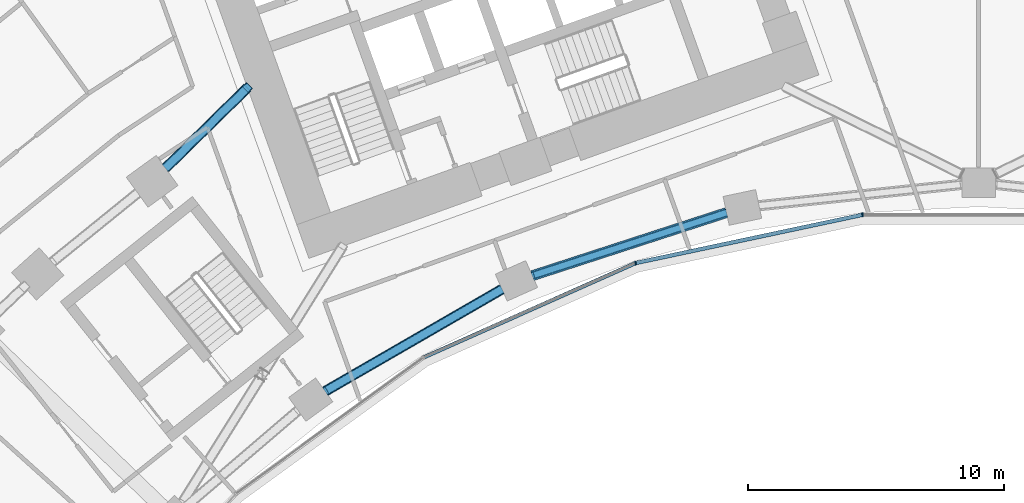
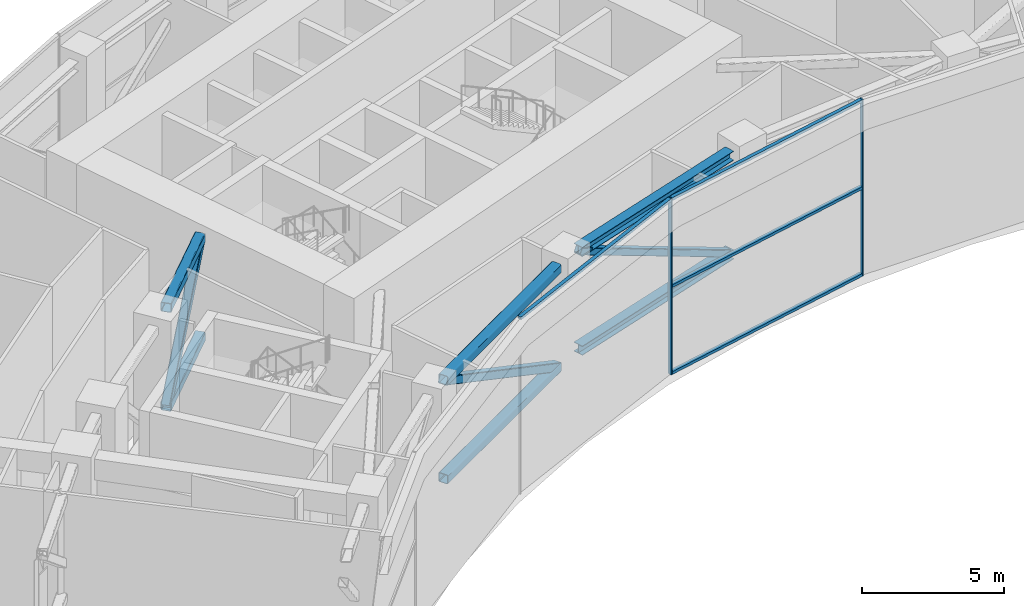
# One storey, part 5 of 30: 15 members, 1 element without a shape of its own.
"""IFC4 building model written with IfcOpenShell, lengths in metres."""

from ifc_helpers import new_model, si_unit, direction, frame, origin, origin_2d, place, context, subcontext, project, spatial, rectangle, hollow_rectangle, i_section, extrude, material, layer, layer_set, material_profile, profile_set, type_object, element, aggregate, save


model = new_model("IFC4")

# Units and contexts
model_context = context("Model", 3, precision=1e-05, world=origin(), true_north=direction((0.0, 1.0)))
body_context = subcontext(model_context, "Body", "Model", "MODEL_VIEW")
ifc_project = project(units=[si_unit("LENGTHUNIT", "METRE"), si_unit("AREAUNIT", "SQUARE_METRE"), si_unit("VOLUMEUNIT", "CUBIC_METRE"), si_unit("PLANEANGLEUNIT", "RADIAN"), si_unit("MASSUNIT", "GRAM", prefix="KILO")], contexts=[model_context])

# Site, building, storey
site_placement = place(None, origin())
site = spatial("IfcSite", under=ifc_project, at=site_placement, CompositionType="ELEMENT")
building_placement = place(site_placement, origin())
building = spatial("IfcBuilding", under=site, at=building_placement, Name="Stone Belt Terrace Tower", CompositionType="ELEMENT")
storey_placement = place(building_placement, frame((0.0, 0.0, 136.39990234375)))
storey = spatial("IfcBuildingStorey", under=building, at=storey_placement, Name="L33", CompositionType="ELEMENT", Elevation=136.39990234375)

# Members
ifc_material_1 = material(Name="Structural steel C345", Category="steel")
ifc_material_profile_1 = material_profile(ifc_material_1, i_section(OverallWidth=0.39990234375, OverallDepth=0.39990234375, WebThickness=0.012939453125, FlangeThickness=0.02099609375, at=origin_2d()), Name="I 40K2")
ifc_profile_set_1 = profile_set([ifc_material_profile_1], Name="Structural steel C345")
member_type_1 = type_object("IfcMemberType", Name="Belt chord I 40K2", PredefinedType="CHORD", material=ifc_profile_set_1)
for number, where, z_axis, x_axis, name in (
    (1, (-17.455810546875, 40.804443359375, 7.050048828125), (0.951056312408, 0.309017621875, 0.0), (-0.309017621875, 0.951056312408, 0.0), "Belt truss T2 ring P top chord 3"),
    (2, (-17.455810546875, 40.804443359375, 2.800048828125), (0.951056312408, 0.309017621875, 0.0), (-0.309017621875, 0.951056312408, 0.0), "Belt truss T2 ring P bot chord 3"),
):
    element("IfcMember", number, at=place(storey_placement, frame(where, z_axis=z_axis, x_axis=x_axis)), inside=storey, type_object=member_type_1, Name=name, PredefinedType="CHORD", context=body_context, shape_type="SweptSolid", body=[
        extrude(i_section(OverallWidth=0.39990234375, OverallDepth=0.39990234375, WebThickness=0.012939453125, FlangeThickness=0.02099609375, at=origin_2d()), origin(), (0.0, 0.0, 1.0), 7.984375),
    ])
ifc_material_profile_2 = material_profile(ifc_material_1, hollow_rectangle(XDim=0.300048828125, YDim=0.300048828125, WallThickness=0.01611328125, InnerFilletRadius=0.031982421875, OuterFilletRadius=0.048095703125, at=origin_2d()), Name="SHS 300x300x16")
ifc_profile_set_2 = profile_set([ifc_material_profile_2], Name="Structural steel C345")
member_type_2 = type_object("IfcMemberType", Name="Belt diagonal SHS 300x300x16", PredefinedType="BRACE", material=ifc_profile_set_2)
member_1_placement = place(storey_placement, frame((-17.455810546875, 40.804443359375, 7.050048828125), z_axis=(0.839528826933, 0.27278006382, -0.469874861565), x_axis=(-0.309017621875, 0.951056312408, 0.0)))
element("IfcMember", 3, at=member_1_placement, inside=storey, type_object=member_type_2, Name="Belt truss T2 ring P diagonal 3", PredefinedType="BRACE", context=body_context, shape_type="SweptSolid", body=[
    extrude(hollow_rectangle(XDim=0.300048828125, YDim=0.300048828125, WallThickness=0.01611328125, InnerFilletRadius=0.031982421875, OuterFilletRadius=0.048095703125, at=origin_2d()), origin(), (0.0, 0.0, 1.0), 9.044921875),
])

# Curtain wall, members
ifc_material_2 = material(Name="Aluminium 6063-T6 anodised frame", Category="aluminium")
ifc_layer = layer(ifc_material_2, 0.14990234375)
ifc_layer_set = layer_set([ifc_layer], Name="CW-B unitised concave-face curtain wall")
curtain_wall_type = type_object("IfcCurtainWallType", Name="CW-B unitised concave-face curtain wall", PredefinedType="NOTDEFINED", material=ifc_layer_set)
curtain_wall_placement = place(storey_placement, origin())
curtain_wall = element("IfcCurtainWall", 4, at=curtain_wall_placement, inside=storey, type_object=curtain_wall_type, Name="CW-B concave face L33", PredefinedType="NOTDEFINED")
ifc_material_profile_3 = material_profile(ifc_material_2, rectangle(XDim=0.14990234375, YDim=0.050048828125, at=origin_2d()), Name="Aluminium 6063-T6 50x150")
ifc_profile_set_3 = profile_set([ifc_material_profile_3], Name="Aluminium 6063-T6 anodised frame")
member_type_3 = type_object("IfcMemberType", Name="CW-B mullion 50 x 150", PredefinedType="MULLION", material=ifc_profile_set_3)
member_2_placement = place(storey_placement, frame((-13.4189453125, 41.29931640625, 0.0), z_axis=(0.0, 0.0, 1.0), x_axis=(-0.309016994375, 0.951056516295, 0.0)))
member_2 = element("IfcMember", 5, at=member_2_placement, type_object=member_type_3, Name="CW-B mullion 4", PredefinedType="MULLION", context=body_context, shape_type="SweptSolid", body=[
    extrude(rectangle(XDim=0.14990234375, YDim=0.050048828125, at=origin_2d()), origin(), (0.0, 0.0, 1.0), 7.60009765625),
])
member_3_placement = place(storey_placement, frame((-4.5390625, 43.186767578125, 0.0), z_axis=(0.0, 0.0, 1.0), x_axis=(-0.104528463268, 0.994521895368, 0.0)))
member_3 = element("IfcMember", 6, at=member_3_placement, type_object=member_type_3, Name="CW-B mullion 5", PredefinedType="MULLION", context=body_context, shape_type="SweptSolid", body=[
    extrude(rectangle(XDim=0.14990234375, YDim=0.050048828125, at=origin_2d()), origin(), (0.0, 0.0, 1.0), 7.60009765625),
])
ifc_material_profile_4 = material_profile(ifc_material_2, rectangle(XDim=0.14990234375, YDim=0.1201171875, at=origin_2d()), Name="Aluminium 6063-T6 150x120")
ifc_profile_set_4 = profile_set([ifc_material_profile_4], Name="Aluminium 6063-T6 anodised frame")
member_type_4 = type_object("IfcMemberType", Name="CW-B transom 120 x 150", PredefinedType="USERDEFINED", material=ifc_profile_set_4)
member_4_placement = place(storey_placement, frame((-21.682373046875, 37.6201171875, 7.5400390625), z_axis=(0.913548853737, 0.406729015237, 0.0), x_axis=(-0.406729015237, 0.913548853737, 0.0)))
member_4 = element("IfcMember", 7, at=member_4_placement, type_object=member_type_4, Name="CW-B transom 3.1", ObjectType="TRANSOM", PredefinedType="USERDEFINED", context=body_context, shape_type="SweptSolid", body=[
    extrude(rectangle(XDim=0.14990234375, YDim=0.1201171875, at=origin_2d()), origin(), (0.0, 0.0, 1.0), 9.0126953125),
])
member_5_placement = place(storey_placement, frame((-13.386962890625, 41.30615234375, 0.06005859375), z_axis=(0.9781499003, 0.207900871914, 0.0), x_axis=(-0.207900871914, 0.9781499003, 0.0)))
member_5 = element("IfcMember", 8, at=member_5_placement, type_object=member_type_4, Name="CW-B transom 4.1", ObjectType="TRANSOM", PredefinedType="USERDEFINED", context=body_context, shape_type="SweptSolid", body=[
    extrude(rectangle(XDim=0.14990234375, YDim=0.1201171875, at=origin_2d()), origin(), (0.0, 0.0, 1.0), 9.012939453125),
])
member_6_placement = place(storey_placement, frame((-13.386962890625, 41.30615234375, 3.800048828125), z_axis=(0.9781499003, 0.207900871914, 0.0), x_axis=(-0.207900871914, 0.9781499003, 0.0)))
member_6 = element("IfcMember", 9, at=member_6_placement, type_object=member_type_4, Name="CW-B transom 4.2", ObjectType="TRANSOM", PredefinedType="USERDEFINED", context=body_context, shape_type="SweptSolid", body=[
    extrude(rectangle(XDim=0.14990234375, YDim=0.1201171875, at=origin_2d()), origin(), (0.0, 0.0, 1.0), 9.012939453125),
])
member_7_placement = place(storey_placement, frame((-13.386962890625, 41.30615234375, 7.5400390625), z_axis=(0.9781499003, 0.207900871914, 0.0), x_axis=(-0.207900871914, 0.9781499003, 0.0)))
member_7 = element("IfcMember", 10, at=member_7_placement, type_object=member_type_4, Name="CW-B transom 4.3", ObjectType="TRANSOM", PredefinedType="USERDEFINED", context=body_context, shape_type="SweptSolid", body=[
    extrude(rectangle(XDim=0.14990234375, YDim=0.1201171875, at=origin_2d()), origin(), (0.0, 0.0, 1.0), 9.012939453125),
])
aggregate(curtain_wall, [member_2, member_3, member_4, member_5, member_6, member_7])

# Members
ifc_material_profile_5 = material_profile(ifc_material_1, hollow_rectangle(XDim=0.39990234375, YDim=0.39990234375, WallThickness=0.02001953125, InnerFilletRadius=0.0400390625, OuterFilletRadius=0.06005859375, at=origin_2d()), Name="SHS 400x400x20")
ifc_profile_set_5 = profile_set([ifc_material_profile_5], Name="Structural steel C345")
member_type_5 = type_object("IfcMemberType", Name="Outrigger chord SHS 400x400x20", PredefinedType="CHORD", material=ifc_profile_set_5)
for number, where, z_axis, x_axis, name in (
    (11, (-25.55810546875, 36.28369140625, 7.050048828125), (0.866042505541, 0.499970377718, 0.0), (-0.499970377718, 0.866042505541, 0.0), "Outrigger T2 Pw top chord 3"),
    (12, (-25.55810546875, 36.28369140625, 2.800048828125), (0.866042505541, 0.499970377718, 0.0), (-0.499970377718, 0.866042505541, 0.0), "Outrigger T2 Pw bot chord 3"),
):
    element("IfcMember", number, at=place(storey_placement, frame(where, z_axis=z_axis, x_axis=x_axis)), inside=storey, type_object=member_type_5, Name=name, PredefinedType="CHORD", context=body_context, shape_type="SweptSolid", body=[
        extrude(hollow_rectangle(XDim=0.39990234375, YDim=0.39990234375, WallThickness=0.02001953125, InnerFilletRadius=0.0400390625, OuterFilletRadius=0.06005859375, at=origin_2d()), origin(), (0.0, 0.0, 1.0), 7.984375),
    ])
for number, where, z_axis, x_axis, name in (
    (13, (-31.805419921875, 45.009765625, 7.050048828125), (0.713269284805, 0.700890096487, 0.0), (-0.700890096487, 0.713269284805, 0.0), "Outrigger T2 Qw top chord 4"),
    (14, (-31.805419921875, 45.009765625, 2.800048828125), (0.713269284805, 0.700890096487, 0.0), (-0.700890096487, 0.713269284805, 0.0), "Outrigger T2 Qw bot chord 4"),
):
    element("IfcMember", number, at=place(storey_placement, frame(where, z_axis=z_axis, x_axis=x_axis)), inside=storey, type_object=member_type_5, Name=name, PredefinedType="CHORD", context=body_context, shape_type="SweptSolid", body=[
        extrude(hollow_rectangle(XDim=0.39990234375, YDim=0.39990234375, WallThickness=0.02001953125, InnerFilletRadius=0.0400390625, OuterFilletRadius=0.06005859375, at=origin_2d()), origin(), (0.0, 0.0, 1.0), 4.49658203125),
    ])
ifc_material_profile_6 = material_profile(ifc_material_1, hollow_rectangle(XDim=0.35009765625, YDim=0.35009765625, WallThickness=0.01611328125, InnerFilletRadius=0.031982421875, OuterFilletRadius=0.048095703125, at=origin_2d()), Name="SHS 350x350x16")
ifc_profile_set_6 = profile_set([ifc_material_profile_6], Name="Structural steel C345")
member_type_6 = type_object("IfcMemberType", Name="Outrigger diagonal SHS 350x350x16", PredefinedType="BRACE", material=ifc_profile_set_6)
member_8_placement = place(storey_placement, frame((-25.55810546875, 36.28369140625, 7.050048828125), z_axis=(0.764485884262, 0.441341266588, -0.469871492188), x_axis=(-0.499970377718, 0.866042505541, 0.0)))
element("IfcMember", 15, at=member_8_placement, inside=storey, type_object=member_type_6, Name="Outrigger T2 Pw diagonal 3", PredefinedType="BRACE", context=body_context, shape_type="SweptSolid", body=[
    extrude(hollow_rectangle(XDim=0.35009765625, YDim=0.35009765625, WallThickness=0.01611328125, InnerFilletRadius=0.031982421875, OuterFilletRadius=0.048095703125, at=origin_2d()), origin(), (0.0, 0.0, 1.0), 9.044921875),
])
member_9_placement = place(storey_placement, frame((-31.805419921875, 45.009765625, 2.800048828125), z_axis=(0.518370466929, 0.509373856861, 0.686899070434), x_axis=(-0.700890096487, 0.713269284805, 0.0)))
element("IfcMember", 16, at=member_9_placement, inside=storey, type_object=member_type_6, Name="Outrigger T2 Qw diagonal 4", PredefinedType="BRACE", context=body_context, shape_type="SweptSolid", body=[
    extrude(hollow_rectangle(XDim=0.35009765625, YDim=0.35009765625, WallThickness=0.01611328125, InnerFilletRadius=0.031982421875, OuterFilletRadius=0.048095703125, at=origin_2d()), origin(), (0.0, 0.0, 1.0), 6.187255859375),
])

save(model, "model.ifc")
